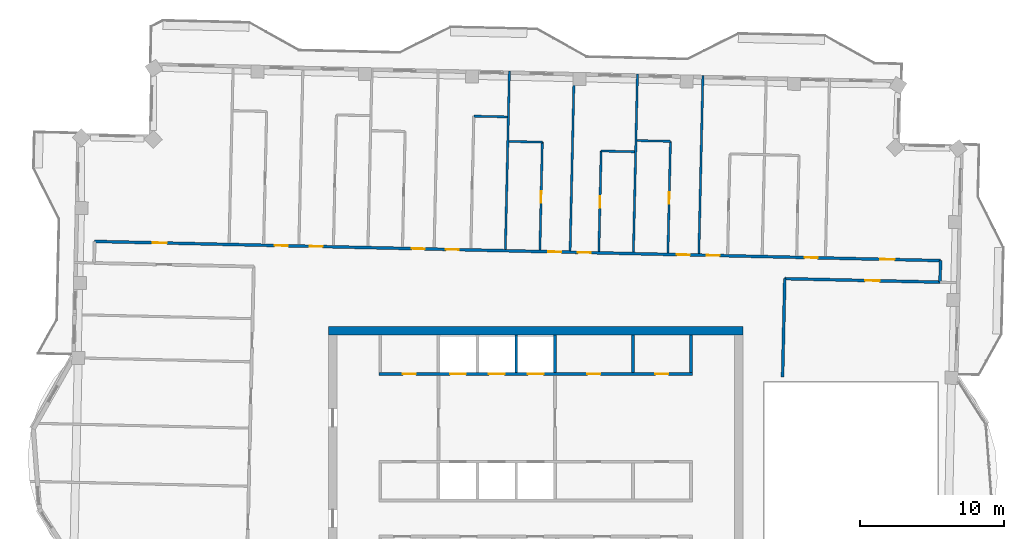
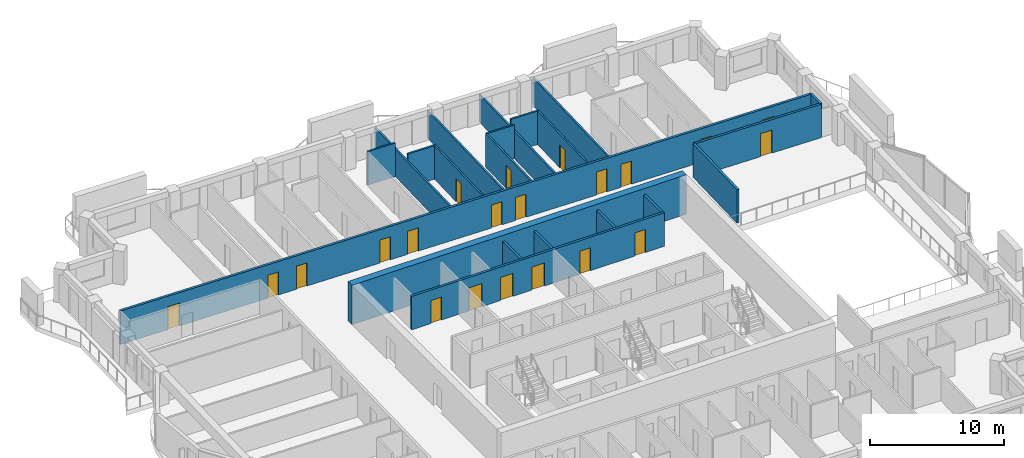
# One storey, part 9 of 15: 21 doors, 21 walls, 21 openings.
"""IFC4 building model written with IfcOpenShell, lengths in metres."""

from ifc_helpers import new_model, si_unit, direction, frame, frame_2d, origin, place, context, subcontext, project, spatial, rectangle, extrude, material, layer, layer_set, type_object, element, fill, save


model = new_model("IFC4")

# Units and contexts
model_context = context("Model", 3, precision=1e-05, world=origin(), true_north=direction((0.0, 1.0)))
body_context = subcontext(model_context, "Body", "Model", "MODEL_VIEW")
ifc_project = project(units=[si_unit("LENGTHUNIT", "METRE"), si_unit("AREAUNIT", "SQUARE_METRE"), si_unit("VOLUMEUNIT", "CUBIC_METRE"), si_unit("PLANEANGLEUNIT", "RADIAN"), si_unit("MASSUNIT", "GRAM", prefix="KILO")], contexts=[model_context])

# Site, building, storey
site_placement = place(None, origin())
site = spatial("IfcSite", under=ifc_project, at=site_placement, CompositionType="ELEMENT")
building_placement = place(site_placement, origin())
building = spatial("IfcBuilding", under=site, at=building_placement, Name="Mangrove Gate Tower", CompositionType="ELEMENT")
storey_placement = place(building_placement, frame((0.0, 0.0, 306.10009765625)))
storey = spatial("IfcBuildingStorey", under=building, at=storey_placement, Name="L78", CompositionType="ELEMENT", Elevation=306.10009765625)

# Walls
ifc_material_1 = material(Name="Concrete C32/40", Category="concrete")
ifc_layer_1 = layer(ifc_material_1, 0.199951171875)
ifc_layer_set_1 = layer_set([ifc_layer_1], Name="Core room wall 200 C32/40")
wall_type_1 = type_object("IfcWallType", Name="Core room wall 200 C32/40", PredefinedType="STANDARD", material=ifc_layer_set_1)
for number, where, z_axis, x_axis, name in (
    (1, (6.75, 8.199951171875, 0.0), (0.0, 0.0, 1.0), (0.0, 1.0, 0.0), "WALL-L78-CORE-31"),
    (2, (10.800048828125, 8.199951171875, 0.0), (0.0, 0.0, 1.0), (0.0, 1.0, 0.0), "WALL-L78-CORE-32"),
):
    element("IfcWall", number, at=place(storey_placement, frame(where, z_axis=z_axis, x_axis=x_axis)), inside=storey, type_object=wall_type_1, Name=name, PredefinedType="STANDARD", context=body_context, shape_type="SweptSolid", body=[
        extrude(rectangle(XDim=2.60009765625, YDim=0.199951171875, at=frame_2d((1.300048828125, 0.0))), origin(), (0.0, 0.0, 1.0), 3.0498046875),
    ])

# Wall, openings, doors
ifc_material_2 = material(Name="Concrete C50/60", Category="concrete")
ifc_layer_2 = layer(ifc_material_2, 0.199951171875)
ifc_layer_set_2 = layer_set([ifc_layer_2], Name="Core shaft wall 200 C50/60")
wall_type_2 = type_object("IfcWallType", Name="Core shaft wall 200 C50/60", PredefinedType="SHEAR", material=ifc_layer_set_2)
wall_1_placement = place(storey_placement, frame((-10.89990234375, 8.10009765625, 0.0), z_axis=(0.0, 0.0, 1.0), x_axis=(1.0, 0.0, 0.0)))
wall_1 = element("IfcWall", 3, at=wall_1_placement, inside=storey, type_object=wall_type_2, Name="WALL-L78-CORE-8", PredefinedType="SHEAR", context=body_context, shape_type="SweptSolid", body=[
    extrude(rectangle(XDim=21.7998046875, YDim=0.199951171875, at=frame_2d((10.89990234375, 0.0))), origin(), (0.0, 0.0, 1.0), 3.0498046875),
])
opening_1_placement = place(wall_1_placement, frame((4.949951171875, 0.0, 0.0)))
opening_1 = element("IfcOpeningElement", 4, at=opening_1_placement, cuts=wall_1, Name="Opening LD", PredefinedType="OPENING", context=body_context, shape_type="SweptSolid", body=[
    extrude(rectangle(XDim=1.10009765625, YDim=2.10009765625, at=frame_2d((0.550048828125, 1.050048828125))), frame((0.0, 0.10986328125, 0.0), z_axis=(0.0, -1.0, 0.0), x_axis=(1.0, 0.0, 0.0)), (0.0, 0.0, 1.0), 0.219970703125),
])
opening_2_placement = place(wall_1_placement, frame((7.64990234375, 0.0, 0.0)))
opening_2 = element("IfcOpeningElement", 5, at=opening_2_placement, cuts=wall_1, Name="Opening LD", PredefinedType="OPENING", context=body_context, shape_type="SweptSolid", body=[
    extrude(rectangle(XDim=1.10009765625, YDim=2.10009765625, at=frame_2d((0.550048828125, 1.050048828125))), frame((0.0, 0.10986328125, 0.0), z_axis=(0.0, -1.0, 0.0), x_axis=(1.0, 0.0, 0.0)), (0.0, 0.0, 1.0), 0.219970703125),
])
opening_3_placement = place(wall_1_placement, frame((10.35009765625, 0.0, 0.0)))
opening_3 = element("IfcOpeningElement", 6, at=opening_3_placement, cuts=wall_1, Name="Opening LD", PredefinedType="OPENING", context=body_context, shape_type="SweptSolid", body=[
    extrude(rectangle(XDim=1.10009765625, YDim=2.10009765625, at=frame_2d((0.550048828125, 1.050048828125))), frame((0.0, 0.10986328125, 0.0), z_axis=(0.0, -1.0, 0.0), x_axis=(1.0, 0.0, 0.0)), (0.0, 0.0, 1.0), 0.219970703125),
])
opening_4_placement = place(wall_1_placement, frame((1.675048828125, 0.0, 0.0)))
opening_4 = element("IfcOpeningElement", 7, at=opening_4_placement, cuts=wall_1, Name="Opening KD", PredefinedType="OPENING", context=body_context, shape_type="SweptSolid", body=[
    extrude(rectangle(XDim=0.89990234375, YDim=2.10009765625, at=frame_2d((0.449951171875, 1.050048828125))), frame((0.0, 0.10986328125, 0.0), z_axis=(0.0, -1.0, 0.0), x_axis=(1.0, 0.0, 0.0)), (0.0, 0.0, 1.0), 0.219970703125),
])
opening_5_placement = place(wall_1_placement, frame((14.5, 0.0, 0.0)))
opening_5 = element("IfcOpeningElement", 8, at=opening_5_placement, cuts=wall_1, Name="Opening RD", PredefinedType="OPENING", context=body_context, shape_type="SweptSolid", body=[
    extrude(rectangle(XDim=0.89990234375, YDim=2.10009765625, at=frame_2d((0.449951171875, 1.050048828125))), frame((0.0, 0.10986328125, 0.0), z_axis=(0.0, -1.0, 0.0), x_axis=(1.0, 0.0, 0.0)), (0.0, 0.0, 1.0), 0.219970703125),
])
opening_6_placement = place(wall_1_placement, frame((19.22509765625, 0.0, 0.0)))
opening_6 = element("IfcOpeningElement", 9, at=opening_6_placement, cuts=wall_1, Name="Opening RD", PredefinedType="OPENING", context=body_context, shape_type="SweptSolid", body=[
    extrude(rectangle(XDim=0.89990234375, YDim=2.10009765625, at=frame_2d((0.449951171875, 1.050048828125))), frame((0.0, 0.10986328125, 0.0), z_axis=(0.0, -1.0, 0.0), x_axis=(1.0, 0.0, 0.0)), (0.0, 0.0, 1.0), 0.219970703125),
])
ifc_material_3 = material(Name="Fire-rated steel door set", Category="steel")
door_type_1 = type_object("IfcDoorType", Name="Core room door FD30S 900x2100", OperationType="SINGLE_SWING_RIGHT", PredefinedType="DOOR", material=ifc_material_3)
door_1_placement = place(opening_4_placement, origin())
door_1 = element("IfcDoor", 10, at=door_1_placement, inside=storey, type_object=door_type_1, Name="Core room door Linen store", OperationType="SINGLE_SWING_RIGHT", OverallHeight=2.10009765625, OverallWidth=0.89990234375, PredefinedType="DOOR", context=body_context, shape_type="SweptSolid", body=[
    extrude(rectangle(XDim=0.89990234375, YDim=2.10009765625, at=frame_2d((0.449951171875, 1.050048828125))), frame((0.0, 0.02490234375, 0.0), z_axis=(0.0, -1.0, 0.0), x_axis=(1.0, 0.0, 0.0)), (0.0, 0.0, 1.0), 0.050048828125),
])
fill(opening_4, door_1)
ifc_material_4 = material(Name="Stainless steel 316", Category="steel")
door_type_2 = type_object("IfcDoorType", Name="Lift landing door 1100x2100", OperationType="SLIDING_TO_LEFT", PredefinedType="DOOR", material=ifc_material_4)
door_2_placement = place(opening_1_placement, origin())
door_2 = element("IfcDoor", 11, at=door_2_placement, inside=storey, type_object=door_type_2, Name="Landing door LD H04", OperationType="SLIDING_TO_LEFT", OverallHeight=2.10009765625, OverallWidth=1.10009765625, PredefinedType="DOOR", context=body_context, shape_type="SweptSolid", body=[
    extrude(rectangle(XDim=1.10009765625, YDim=2.10009765625, at=frame_2d((0.550048828125, 1.050048828125))), frame((0.0, 0.02490234375, 0.0), z_axis=(0.0, -1.0, 0.0), x_axis=(1.0, 0.0, 0.0)), (0.0, 0.0, 1.0), 0.050048828125),
])
fill(opening_1, door_2)
door_3_placement = place(opening_2_placement, origin())
door_3 = element("IfcDoor", 12, at=door_3_placement, inside=storey, type_object=door_type_2, Name="Landing door LD H05", OperationType="SLIDING_TO_LEFT", OverallHeight=2.10009765625, OverallWidth=1.10009765625, PredefinedType="DOOR", context=body_context, shape_type="SweptSolid", body=[
    extrude(rectangle(XDim=1.10009765625, YDim=2.10009765625, at=frame_2d((0.550048828125, 1.050048828125))), frame((0.0, 0.02490234375, 0.0), z_axis=(0.0, -1.0, 0.0), x_axis=(1.0, 0.0, 0.0)), (0.0, 0.0, 1.0), 0.050048828125),
])
fill(opening_2, door_3)
door_4_placement = place(opening_3_placement, origin())
door_4 = element("IfcDoor", 13, at=door_4_placement, inside=storey, type_object=door_type_2, Name="Landing door LD H06", OperationType="SLIDING_TO_LEFT", OverallHeight=2.10009765625, OverallWidth=1.10009765625, PredefinedType="DOOR", context=body_context, shape_type="SweptSolid", body=[
    extrude(rectangle(XDim=1.10009765625, YDim=2.10009765625, at=frame_2d((0.550048828125, 1.050048828125))), frame((0.0, 0.02490234375, 0.0), z_axis=(0.0, -1.0, 0.0), x_axis=(1.0, 0.0, 0.0)), (0.0, 0.0, 1.0), 0.050048828125),
])
fill(opening_3, door_4)
ifc_material_5 = material(Name="Fire-rated steel door set", Category="steel")
door_type_3 = type_object("IfcDoorType", Name="Riser door FD30S 900x2100", OperationType="SINGLE_SWING_LEFT", PredefinedType="DOOR", material=ifc_material_5)
door_5_placement = place(opening_5_placement, origin())
door_5 = element("IfcDoor", 14, at=door_5_placement, inside=storey, type_object=door_type_3, Name="Riser door Switch room", OperationType="SINGLE_SWING_LEFT", OverallHeight=2.10009765625, OverallWidth=0.89990234375, PredefinedType="DOOR", context=body_context, shape_type="SweptSolid", body=[
    extrude(rectangle(XDim=0.89990234375, YDim=2.10009765625, at=frame_2d((0.449951171875, 1.050048828125))), frame((0.0, 0.02490234375, 0.0), z_axis=(0.0, -1.0, 0.0), x_axis=(1.0, 0.0, 0.0)), (0.0, 0.0, 1.0), 0.050048828125),
])
fill(opening_5, door_5)
door_6_placement = place(opening_6_placement, origin())
door_6 = element("IfcDoor", 15, at=door_6_placement, inside=storey, type_object=door_type_3, Name="Riser door Comms room", OperationType="SINGLE_SWING_LEFT", OverallHeight=2.10009765625, OverallWidth=0.89990234375, PredefinedType="DOOR", context=body_context, shape_type="SweptSolid", body=[
    extrude(rectangle(XDim=0.89990234375, YDim=2.10009765625, at=frame_2d((0.449951171875, 1.050048828125))), frame((0.0, 0.02490234375, 0.0), z_axis=(0.0, -1.0, 0.0), x_axis=(1.0, 0.0, 0.0)), (0.0, 0.0, 1.0), 0.050048828125),
])
fill(opening_6, door_6)

# Walls
for number, where, z_axis, x_axis, name in (
    (16, (-1.35009765625, 8.199951171875, 0.0), (0.0, 0.0, 1.0), (0.0, 1.0, 0.0), "WALL-L78-CORE-29"),
    (17, (1.35009765625, 8.199951171875, 0.0), (0.0, 0.0, 1.0), (0.0, 1.0, 0.0), "WALL-L78-CORE-30"),
):
    element("IfcWall", number, at=place(storey_placement, frame(where, z_axis=z_axis, x_axis=x_axis)), inside=storey, type_object=wall_type_2, Name=name, PredefinedType="SHEAR", context=body_context, shape_type="SweptSolid", body=[
        extrude(rectangle(XDim=2.60009765625, YDim=0.199951171875, at=frame_2d((1.300048828125, 0.0))), origin(), (0.0, 0.0, 1.0), 3.0498046875),
    ])
ifc_material_6 = material(Name="Concrete C50/60", Category="concrete")
ifc_layer_3 = layer(ifc_material_6, 0.60009765625)
ifc_layer_set_3 = layer_set([ifc_layer_3], Name="Core wall 600 C50/60")
wall_type_3 = type_object("IfcWallType", Name="Core wall 600 C50/60", PredefinedType="SHEAR", material=ifc_layer_set_3)
wall_2_placement = place(storey_placement, frame((-14.39990234375, 11.10009765625, 0.0), z_axis=(0.0, 0.0, 1.0), x_axis=(1.0, 0.0, 0.0)))
element("IfcWall", 18, at=wall_2_placement, inside=storey, type_object=wall_type_3, Name="WALL-L78-CORE-2", PredefinedType="SHEAR", context=body_context, shape_type="SweptSolid", body=[
    extrude(rectangle(XDim=28.7998046875, YDim=0.60009765625, at=frame_2d((14.39990234375, 0.0))), origin(), (0.0, 0.0, 1.0), 3.599853515625),
])
ifc_material_7 = material(Name="Gypsum board on steel stud, EI 60", Category="steel")
ifc_layer_4 = layer(ifc_material_7, 0.199951171875)
ifc_layer_set_4 = layer_set([ifc_layer_4], Name="Corridor wall EI 60")
wall_type_4 = type_object("IfcWallType", Name="Corridor wall EI 60", PredefinedType="PARTITIONING", material=ifc_layer_set_4)
wall_3_placement = place(storey_placement, frame((17.156982421875, 7.89794921875, 0.0), z_axis=(0.0, 0.0, 1.0), x_axis=(0.022562209343, 0.999745440955, 0.0)))
element("IfcWall", 19, at=wall_3_placement, inside=storey, type_object=wall_type_4, Name="WALL-L78-049", PredefinedType="PARTITIONING", context=body_context, shape_type="SweptSolid", body=[
    extrude(rectangle(XDim=6.827880859375, YDim=0.199951171875, at=frame_2d((3.4140625, 0.0))), origin(), (0.0, 0.0, 1.0), 3.0498046875),
])

# Wall, opening, door
wall_4_placement = place(storey_placement, frame((17.305908203125, 14.72412109375, 0.0), z_axis=(0.0, 0.0, 1.0), x_axis=(0.999744269809, -0.022614043969, 0.0)))
wall_4 = element("IfcWall", 20, at=wall_4_placement, inside=storey, type_object=wall_type_4, Name="WALL-L78-055", PredefinedType="PARTITIONING", context=body_context, shape_type="SweptSolid", body=[
    extrude(rectangle(XDim=10.7958984375, YDim=0.199951171875, at=frame_2d((5.39794921875, 0.0))), origin(), (0.0, 0.0, 1.0), 3.0498046875),
])
opening_7_placement = place(wall_4_placement, frame((5.597900390625, 0.0, 0.0)))
opening_7 = element("IfcOpeningElement", 21, at=opening_7_placement, cuts=wall_4, Name="Opening AD", PredefinedType="OPENING", context=body_context, shape_type="SweptSolid", body=[
    extrude(rectangle(XDim=1.0, YDim=2.10009765625, at=frame_2d((0.5, 1.050048828125))), frame((0.0, 0.10986328125, 0.0), z_axis=(0.0, -1.0, 0.0), x_axis=(1.0, 0.0, 0.0)), (0.0, 0.0, 1.0), 0.219970703125),
])
ifc_material_8 = material(Name="Timber door leaf", Category="wood")
door_type_4 = type_object("IfcDoorType", Name="Amenity door 1000", OperationType="SINGLE_SWING_LEFT", PredefinedType="DOOR", material=ifc_material_8)
door_7_placement = place(opening_7_placement, origin())
door_7 = element("IfcDoor", 22, at=door_7_placement, inside=storey, type_object=door_type_4, Name="DOOR-L78-GAM-c3a", OperationType="SINGLE_SWING_RIGHT", OverallHeight=2.10009765625, OverallWidth=1.0, PredefinedType="DOOR", context=body_context, shape_type="SweptSolid", body=[
    extrude(rectangle(XDim=1.0, YDim=2.10009765625, at=frame_2d((0.5, 1.050048828125))), frame((0.0, 0.02490234375, 0.0), z_axis=(0.0, -1.0, 0.0), x_axis=(1.0, 0.0, 0.0)), (0.0, 0.0, 1.0), 0.050048828125),
])
fill(opening_7, door_7)

# Wall
wall_5_placement = place(storey_placement, frame((28.09912109375, 14.47998046875, 0.0), z_axis=(0.0, 0.0, 1.0), x_axis=(0.022632637625, 0.99974384905, 0.0)))
element("IfcWall", 23, at=wall_5_placement, inside=storey, type_object=wall_type_4, Name="WALL-L78-057", PredefinedType="PARTITIONING", context=body_context, shape_type="SweptSolid", body=[
    extrude(rectangle(XDim=1.49951171875, YDim=0.199951171875, at=frame_2d((0.749755859375, 0.0))), origin(), (0.0, 0.0, 1.0), 3.0498046875),
])

# Wall, openings, doors
wall_6_placement = place(storey_placement, frame((-30.652099609375, 17.31298828125, 0.0), z_axis=(0.0, 0.0, 1.0), x_axis=(0.999742623764, -0.02268669719, 0.0)))
wall_6 = element("IfcWall", 24, at=wall_6_placement, inside=storey, type_object=wall_type_4, Name="WALL-L78-058", PredefinedType="PARTITIONING", context=body_context, shape_type="SweptSolid", body=[
    extrude(rectangle(XDim=58.80029296875, YDim=0.199951171875, at=frame_2d((29.400146484375, 0.0))), origin(), (0.0, 0.0, 1.0), 3.0498046875),
])
opening_8_placement = place(wall_6_placement, frame((54.60107421875, 0.0, 0.0)))
opening_8 = element("IfcOpeningElement", 25, at=opening_8_placement, cuts=wall_6, Name="Opening AD", PredefinedType="OPENING", context=body_context, shape_type="SweptSolid", body=[
    extrude(rectangle(XDim=1.0, YDim=2.10009765625, at=frame_2d((0.5, 1.050048828125))), frame((0.0, 0.10986328125, 0.0), z_axis=(0.0, -1.0, 0.0), x_axis=(1.0, 0.0, 0.0)), (0.0, 0.0, 1.0), 0.219970703125),
])
opening_9_placement = place(wall_6_placement, frame((49.35009765625, 0.0, 0.0)))
opening_9 = element("IfcOpeningElement", 26, at=opening_9_placement, cuts=wall_6, Name="Opening BD", PredefinedType="OPENING", context=body_context, shape_type="SweptSolid", body=[
    extrude(rectangle(XDim=0.89990234375, YDim=2.10009765625, at=frame_2d((0.449951171875, 1.050048828125))), frame((0.0, 0.10986328125, 0.0), z_axis=(0.0, -1.0, 0.0), x_axis=(1.0, 0.0, 0.0)), (0.0, 0.0, 1.0), 0.219970703125),
])
opening_10_placement = place(wall_6_placement, frame((42.550048828125, 0.0, 0.0)))
opening_10 = element("IfcOpeningElement", 27, at=opening_10_placement, cuts=wall_6, Name="Opening BD", PredefinedType="OPENING", context=body_context, shape_type="SweptSolid", body=[
    extrude(rectangle(XDim=0.89990234375, YDim=2.10009765625, at=frame_2d((0.449951171875, 1.050048828125))), frame((0.0, 0.10986328125, 0.0), z_axis=(0.0, -1.0, 0.0), x_axis=(1.0, 0.0, 0.0)), (0.0, 0.0, 1.0), 0.219970703125),
])
opening_11_placement = place(wall_6_placement, frame((40.47509765625, 0.0, 0.0)))
opening_11 = element("IfcOpeningElement", 28, at=opening_11_placement, cuts=wall_6, Name="Opening BD", PredefinedType="OPENING", context=body_context, shape_type="SweptSolid", body=[
    extrude(rectangle(XDim=0.89990234375, YDim=2.10009765625, at=frame_2d((0.449951171875, 1.050048828125))), frame((0.0, 0.10986328125, 0.0), z_axis=(0.0, -1.0, 0.0), x_axis=(1.0, 0.0, 0.0)), (0.0, 0.0, 1.0), 0.219970703125),
])
opening_12_placement = place(wall_6_placement, frame((33.60009765625, 0.0, 0.0)))
opening_12 = element("IfcOpeningElement", 29, at=opening_12_placement, cuts=wall_6, Name="Opening BD", PredefinedType="OPENING", context=body_context, shape_type="SweptSolid", body=[
    extrude(rectangle(XDim=0.89990234375, YDim=2.10009765625, at=frame_2d((0.449951171875, 1.050048828125))), frame((0.0, 0.10986328125, 0.0), z_axis=(0.0, -1.0, 0.0), x_axis=(1.0, 0.0, 0.0)), (0.0, 0.0, 1.0), 0.219970703125),
])
opening_13_placement = place(wall_6_placement, frame((31.550048828125, 0.0, 0.0)))
opening_13 = element("IfcOpeningElement", 30, at=opening_13_placement, cuts=wall_6, Name="Opening BD", PredefinedType="OPENING", context=body_context, shape_type="SweptSolid", body=[
    extrude(rectangle(XDim=0.89990234375, YDim=2.10009765625, at=frame_2d((0.449951171875, 1.050048828125))), frame((0.0, 0.10986328125, 0.0), z_axis=(0.0, -1.0, 0.0), x_axis=(1.0, 0.0, 0.0)), (0.0, 0.0, 1.0), 0.219970703125),
])
opening_14_placement = place(wall_6_placement, frame((24.425048828125, 0.0, 0.0)))
opening_14 = element("IfcOpeningElement", 31, at=opening_14_placement, cuts=wall_6, Name="Opening BD", PredefinedType="OPENING", context=body_context, shape_type="SweptSolid", body=[
    extrude(rectangle(XDim=0.89990234375, YDim=2.10009765625, at=frame_2d((0.449951171875, 1.050048828125))), frame((0.0, 0.10986328125, 0.0), z_axis=(0.0, -1.0, 0.0), x_axis=(1.0, 0.0, 0.0)), (0.0, 0.0, 1.0), 0.219970703125),
])
opening_15_placement = place(wall_6_placement, frame((22.050048828125, 0.0, 0.0)))
opening_15 = element("IfcOpeningElement", 32, at=opening_15_placement, cuts=wall_6, Name="Opening BD", PredefinedType="OPENING", context=body_context, shape_type="SweptSolid", body=[
    extrude(rectangle(XDim=0.89990234375, YDim=2.10009765625, at=frame_2d((0.449951171875, 1.050048828125))), frame((0.0, 0.10986328125, 0.0), z_axis=(0.0, -1.0, 0.0), x_axis=(1.0, 0.0, 0.0)), (0.0, 0.0, 1.0), 0.219970703125),
])
opening_16_placement = place(wall_6_placement, frame((14.949951171875, 0.0, 0.0)))
opening_16 = element("IfcOpeningElement", 33, at=opening_16_placement, cuts=wall_6, Name="Opening BD", PredefinedType="OPENING", context=body_context, shape_type="SweptSolid", body=[
    extrude(rectangle(XDim=0.89990234375, YDim=2.10009765625, at=frame_2d((0.449951171875, 1.050048828125))), frame((0.0, 0.10986328125, 0.0), z_axis=(0.0, -1.0, 0.0), x_axis=(1.0, 0.0, 0.0)), (0.0, 0.0, 1.0), 0.219970703125),
])
opening_17_placement = place(wall_6_placement, frame((12.52490234375, 0.0, 0.0)))
opening_17 = element("IfcOpeningElement", 34, at=opening_17_placement, cuts=wall_6, Name="Opening BD", PredefinedType="OPENING", context=body_context, shape_type="SweptSolid", body=[
    extrude(rectangle(XDim=0.89990234375, YDim=2.10009765625, at=frame_2d((0.449951171875, 1.050048828125))), frame((0.0, 0.10986328125, 0.0), z_axis=(0.0, -1.0, 0.0), x_axis=(1.0, 0.0, 0.0)), (0.0, 0.0, 1.0), 0.219970703125),
])
opening_18_placement = place(wall_6_placement, frame((4.031982421875, 0.0, 0.0)))
opening_18 = element("IfcOpeningElement", 35, at=opening_18_placement, cuts=wall_6, Name="Opening AD", PredefinedType="OPENING", context=body_context, shape_type="SweptSolid", body=[
    extrude(rectangle(XDim=1.0, YDim=2.10009765625, at=frame_2d((0.5, 1.050048828125))), frame((0.0, 0.10986328125, 0.0), z_axis=(0.0, -1.0, 0.0), x_axis=(1.0, 0.0, 0.0)), (0.0, 0.0, 1.0), 0.219970703125),
])
door_8_placement = place(opening_8_placement, origin())
door_8 = element("IfcDoor", 36, at=door_8_placement, inside=storey, type_object=door_type_4, Name="DOOR-L78-KIT-c3a", OperationType="SINGLE_SWING_LEFT", OverallHeight=2.10009765625, OverallWidth=1.0, PredefinedType="DOOR", context=body_context, shape_type="SweptSolid", body=[
    extrude(rectangle(XDim=1.0, YDim=2.10009765625, at=frame_2d((0.5, 1.050048828125))), frame((0.0, 0.02490234375, 0.0), z_axis=(0.0, -1.0, 0.0), x_axis=(1.0, 0.0, 0.0)), (0.0, 0.0, 1.0), 0.050048828125),
])
fill(opening_8, door_8)
door_9_placement = place(opening_18_placement, origin())
door_9 = element("IfcDoor", 37, at=door_9_placement, inside=storey, type_object=door_type_4, Name="DOOR-L78-KIT-c5a", OperationType="SINGLE_SWING_RIGHT", OverallHeight=2.10009765625, OverallWidth=1.0, PredefinedType="DOOR", context=body_context, shape_type="SweptSolid", body=[
    extrude(rectangle(XDim=1.0, YDim=2.10009765625, at=frame_2d((0.5, 1.050048828125))), frame((0.0, 0.02490234375, 0.0), z_axis=(0.0, -1.0, 0.0), x_axis=(1.0, 0.0, 0.0)), (0.0, 0.0, 1.0), 0.050048828125),
])
fill(opening_18, door_9)
ifc_material_9 = material(Name="Timber door leaf", Category="wood")
door_type_5 = type_object("IfcDoorType", Name="Bedroom door 900", OperationType="SINGLE_SWING_LEFT", PredefinedType="DOOR", material=ifc_material_9)
door_10_placement = place(opening_9_placement, origin())
door_10 = element("IfcDoor", 38, at=door_10_placement, inside=storey, type_object=door_type_5, Name="DOOR-L78-BED-c311", OperationType="SINGLE_SWING_LEFT", OverallHeight=2.10009765625, OverallWidth=0.89990234375, PredefinedType="DOOR", context=body_context, shape_type="SweptSolid", body=[
    extrude(rectangle(XDim=0.89990234375, YDim=2.10009765625, at=frame_2d((0.449951171875, 1.050048828125))), frame((0.0, 0.02490234375, 0.0), z_axis=(0.0, -1.0, 0.0), x_axis=(1.0, 0.0, 0.0)), (0.0, 0.0, 1.0), 0.050048828125),
])
fill(opening_9, door_10)
door_11_placement = place(opening_10_placement, origin())
door_11 = element("IfcDoor", 39, at=door_11_placement, inside=storey, type_object=door_type_5, Name="DOOR-L78-BED-c312", OperationType="SINGLE_SWING_RIGHT", OverallHeight=2.10009765625, OverallWidth=0.89990234375, PredefinedType="DOOR", context=body_context, shape_type="SweptSolid", body=[
    extrude(rectangle(XDim=0.89990234375, YDim=2.10009765625, at=frame_2d((0.449951171875, 1.050048828125))), frame((0.0, 0.02490234375, 0.0), z_axis=(0.0, -1.0, 0.0), x_axis=(1.0, 0.0, 0.0)), (0.0, 0.0, 1.0), 0.050048828125),
])
fill(opening_10, door_11)
door_12_placement = place(opening_11_placement, origin())
door_12 = element("IfcDoor", 40, at=door_12_placement, inside=storey, type_object=door_type_5, Name="DOOR-L78-BED-c413", OperationType="SINGLE_SWING_LEFT", OverallHeight=2.10009765625, OverallWidth=0.89990234375, PredefinedType="DOOR", context=body_context, shape_type="SweptSolid", body=[
    extrude(rectangle(XDim=0.89990234375, YDim=2.10009765625, at=frame_2d((0.449951171875, 1.050048828125))), frame((0.0, 0.02490234375, 0.0), z_axis=(0.0, -1.0, 0.0), x_axis=(1.0, 0.0, 0.0)), (0.0, 0.0, 1.0), 0.050048828125),
])
fill(opening_11, door_12)
door_13_placement = place(opening_12_placement, origin())
door_13 = element("IfcDoor", 41, at=door_13_placement, inside=storey, type_object=door_type_5, Name="DOOR-L78-BED-c414", OperationType="SINGLE_SWING_RIGHT", OverallHeight=2.10009765625, OverallWidth=0.89990234375, PredefinedType="DOOR", context=body_context, shape_type="SweptSolid", body=[
    extrude(rectangle(XDim=0.89990234375, YDim=2.10009765625, at=frame_2d((0.449951171875, 1.050048828125))), frame((0.0, 0.02490234375, 0.0), z_axis=(0.0, -1.0, 0.0), x_axis=(1.0, 0.0, 0.0)), (0.0, 0.0, 1.0), 0.050048828125),
])
fill(opening_12, door_13)
door_14_placement = place(opening_13_placement, origin())
door_14 = element("IfcDoor", 42, at=door_14_placement, inside=storey, type_object=door_type_5, Name="DOOR-L78-BED-c415", OperationType="SINGLE_SWING_LEFT", OverallHeight=2.10009765625, OverallWidth=0.89990234375, PredefinedType="DOOR", context=body_context, shape_type="SweptSolid", body=[
    extrude(rectangle(XDim=0.89990234375, YDim=2.10009765625, at=frame_2d((0.449951171875, 1.050048828125))), frame((0.0, 0.02490234375, 0.0), z_axis=(0.0, -1.0, 0.0), x_axis=(1.0, 0.0, 0.0)), (0.0, 0.0, 1.0), 0.050048828125),
])
fill(opening_13, door_14)
door_15_placement = place(opening_14_placement, origin())
door_15 = element("IfcDoor", 43, at=door_15_placement, inside=storey, type_object=door_type_5, Name="DOOR-L78-BED-c416", OperationType="SINGLE_SWING_RIGHT", OverallHeight=2.10009765625, OverallWidth=0.89990234375, PredefinedType="DOOR", context=body_context, shape_type="SweptSolid", body=[
    extrude(rectangle(XDim=0.89990234375, YDim=2.10009765625, at=frame_2d((0.449951171875, 1.050048828125))), frame((0.0, 0.02490234375, 0.0), z_axis=(0.0, -1.0, 0.0), x_axis=(1.0, 0.0, 0.0)), (0.0, 0.0, 1.0), 0.050048828125),
])
fill(opening_14, door_15)
door_16_placement = place(opening_15_placement, origin())
door_16 = element("IfcDoor", 44, at=door_16_placement, inside=storey, type_object=door_type_5, Name="DOOR-L78-BED-c517", OperationType="SINGLE_SWING_LEFT", OverallHeight=2.10009765625, OverallWidth=0.89990234375, PredefinedType="DOOR", context=body_context, shape_type="SweptSolid", body=[
    extrude(rectangle(XDim=0.89990234375, YDim=2.10009765625, at=frame_2d((0.449951171875, 1.050048828125))), frame((0.0, 0.02490234375, 0.0), z_axis=(0.0, -1.0, 0.0), x_axis=(1.0, 0.0, 0.0)), (0.0, 0.0, 1.0), 0.050048828125),
])
fill(opening_15, door_16)
door_17_placement = place(opening_16_placement, origin())
door_17 = element("IfcDoor", 45, at=door_17_placement, inside=storey, type_object=door_type_5, Name="DOOR-L78-BED-c518", OperationType="SINGLE_SWING_RIGHT", OverallHeight=2.10009765625, OverallWidth=0.89990234375, PredefinedType="DOOR", context=body_context, shape_type="SweptSolid", body=[
    extrude(rectangle(XDim=0.89990234375, YDim=2.10009765625, at=frame_2d((0.449951171875, 1.050048828125))), frame((0.0, 0.02490234375, 0.0), z_axis=(0.0, -1.0, 0.0), x_axis=(1.0, 0.0, 0.0)), (0.0, 0.0, 1.0), 0.050048828125),
])
fill(opening_16, door_17)
door_18_placement = place(opening_17_placement, origin())
door_18 = element("IfcDoor", 46, at=door_18_placement, inside=storey, type_object=door_type_5, Name="DOOR-L78-BED-c519", OperationType="SINGLE_SWING_LEFT", OverallHeight=2.10009765625, OverallWidth=0.89990234375, PredefinedType="DOOR", context=body_context, shape_type="SweptSolid", body=[
    extrude(rectangle(XDim=0.89990234375, YDim=2.10009765625, at=frame_2d((0.449951171875, 1.050048828125))), frame((0.0, 0.02490234375, 0.0), z_axis=(0.0, -1.0, 0.0), x_axis=(1.0, 0.0, 0.0)), (0.0, 0.0, 1.0), 0.050048828125),
])
fill(opening_17, door_18)

# Wall
ifc_material_10 = material(Name="Gypsum board on steel stud, EI 60", Category="steel")
ifc_layer_5 = layer(ifc_material_10, 0.14990234375)
ifc_layer_set_5 = layer_set([ifc_layer_5], Name="Party wall 150 EI 60")
wall_type_5 = type_object("IfcWallType", Name="Party wall 150 EI 60", PredefinedType="PARTITIONING", material=ifc_layer_set_5)
wall_7_placement = place(storey_placement, frame((-2.10693359375, 16.764892578125, 0.0), z_axis=(0.0, 0.0, 1.0), x_axis=(0.022661029756, 0.999743205894, 0.0)))
element("IfcWall", 47, at=wall_7_placement, inside=storey, type_object=wall_type_5, Name="WALL-L78-067", PredefinedType="PARTITIONING", context=body_context, shape_type="SweptSolid", body=[
    extrude(rectangle(XDim=12.400390625, YDim=0.14990234375, at=frame_2d((6.2001953125, 0.0))), origin(), (0.0, 0.0, 1.0), 2.5),
])

# Wall, opening, door
wall_8_placement = place(storey_placement, frame((0.2919921875, 16.7109375, 0.0), z_axis=(0.0, 0.0, 1.0), x_axis=(0.022656334507, 0.999743312309, 0.0)))
wall_8 = element("IfcWall", 48, at=wall_8_placement, inside=storey, type_object=wall_type_5, Name="WALL-L78-068", PredefinedType="PARTITIONING", context=body_context, shape_type="SweptSolid", body=[
    extrude(rectangle(XDim=7.5, YDim=0.14990234375, at=frame_2d((3.75, 0.0))), origin(), (0.0, 0.0, 1.0), 3.0498046875),
])
opening_19_placement = place(wall_8_placement, frame((3.300048828125, 0.0, 0.0)))
opening_19 = element("IfcOpeningElement", 49, at=opening_19_placement, cuts=wall_8, Name="Opening ED", PredefinedType="OPENING", context=body_context, shape_type="SweptSolid", body=[
    extrude(rectangle(XDim=0.800048828125, YDim=2.10009765625, at=frame_2d((0.39990234375, 1.050048828125))), frame((0.0, 0.0849609375, 0.0), z_axis=(0.0, -1.0, 0.0), x_axis=(1.0, 0.0, 0.0)), (0.0, 0.0, 1.0), 0.169921875),
])
ifc_material_11 = material(Name="Timber door leaf", Category="wood")
door_type_6 = type_object("IfcDoorType", Name="En-suite door 800", OperationType="SINGLE_SWING_LEFT", PredefinedType="DOOR", material=ifc_material_11)
door_19_placement = place(opening_19_placement, origin())
door_19 = element("IfcDoor", 50, at=door_19_placement, inside=storey, type_object=door_type_6, Name="DOOR-L78-ENS-c415", OperationType="SINGLE_SWING_LEFT", OverallHeight=2.10009765625, OverallWidth=0.800048828125, PredefinedType="DOOR", context=body_context, shape_type="SweptSolid", body=[
    extrude(rectangle(XDim=0.800048828125, YDim=2.10009765625, at=frame_2d((0.39990234375, 1.050048828125))), frame((0.0, 0.02490234375, 0.0), z_axis=(0.0, -1.0, 0.0), x_axis=(1.0, 0.0, 0.0)), (0.0, 0.0, 1.0), 0.050048828125),
])
fill(opening_19, door_19)

# Wall
wall_9_placement = place(storey_placement, frame((2.39208984375, 16.6630859375, 0.0), z_axis=(0.0, 0.0, 1.0), x_axis=(0.022661475803, 0.999743195783, 0.0)))
element("IfcWall", 51, at=wall_9_placement, inside=storey, type_object=wall_type_5, Name="WALL-L78-069", PredefinedType="PARTITIONING", context=body_context, shape_type="SweptSolid", body=[
    extrude(rectangle(XDim=12.400146484375, YDim=0.14990234375, at=frame_2d((6.2001953125, 0.0))), origin(), (0.0, 0.0, 1.0), 2.5),
])

# Wall, opening, door
wall_10_placement = place(storey_placement, frame((4.39111328125, 16.617919921875, 0.0), z_axis=(0.0, 0.0, 1.0), x_axis=(0.022630826984, 0.999743890039, 0.0)))
wall_10 = element("IfcWall", 52, at=wall_10_placement, inside=storey, type_object=wall_type_5, Name="WALL-L78-070", PredefinedType="PARTITIONING", context=body_context, shape_type="SweptSolid", body=[
    extrude(rectangle(XDim=6.979736328125, YDim=0.14990234375, at=frame_2d((3.48974609375, 0.0))), origin(), (0.0, 0.0, 1.0), 3.0498046875),
])
opening_20_placement = place(wall_10_placement, frame((3.0400390625, 0.0, 0.0)))
opening_20 = element("IfcOpeningElement", 53, at=opening_20_placement, cuts=wall_10, Name="Opening ED", PredefinedType="OPENING", context=body_context, shape_type="SweptSolid", body=[
    extrude(rectangle(XDim=0.800048828125, YDim=2.10009765625, at=frame_2d((0.39990234375, 1.050048828125))), frame((0.0, 0.0849609375, 0.0), z_axis=(0.0, -1.0, 0.0), x_axis=(1.0, 0.0, 0.0)), (0.0, 0.0, 1.0), 0.169921875),
])
door_20_placement = place(opening_20_placement, origin())
door_20 = element("IfcDoor", 54, at=door_20_placement, inside=storey, type_object=door_type_6, Name="DOOR-L78-ENS-c414", OperationType="SINGLE_SWING_RIGHT", OverallHeight=2.10009765625, OverallWidth=0.800048828125, PredefinedType="DOOR", context=body_context, shape_type="SweptSolid", body=[
    extrude(rectangle(XDim=0.800048828125, YDim=2.10009765625, at=frame_2d((0.39990234375, 1.050048828125))), frame((0.0, 0.02490234375, 0.0), z_axis=(0.0, -1.0, 0.0), x_axis=(1.0, 0.0, 0.0)), (0.0, 0.0, 1.0), 0.050048828125),
])
fill(opening_20, door_20)

# Wall
wall_11_placement = place(storey_placement, frame((6.791015625, 16.56298828125, 0.0), z_axis=(0.0, 0.0, 1.0), x_axis=(0.022661475803, 0.999743195783, 0.0)))
element("IfcWall", 55, at=wall_11_placement, inside=storey, type_object=wall_type_5, Name="WALL-L78-071", PredefinedType="PARTITIONING", context=body_context, shape_type="SweptSolid", body=[
    extrude(rectangle(XDim=12.400146484375, YDim=0.14990234375, at=frame_2d((6.2001953125, 0.0))), origin(), (0.0, 0.0, 1.0), 2.5),
])

# Wall, opening, door
wall_12_placement = place(storey_placement, frame((9.18994140625, 16.509033203125, 0.0), z_axis=(0.0, 0.0, 1.0), x_axis=(0.022683528451, 0.999742695666, 0.0)))
wall_12 = element("IfcWall", 56, at=wall_12_placement, inside=storey, type_object=wall_type_5, Name="WALL-L78-072", PredefinedType="PARTITIONING", context=body_context, shape_type="SweptSolid", body=[
    extrude(rectangle(XDim=7.760009765625, YDim=0.14990234375, at=frame_2d((3.8798828125, 0.0))), origin(), (0.0, 0.0, 1.0), 3.0498046875),
])
opening_21_placement = place(wall_12_placement, frame((3.429931640625, 0.0, 0.0)))
opening_21 = element("IfcOpeningElement", 57, at=opening_21_placement, cuts=wall_12, Name="Opening ED", PredefinedType="OPENING", context=body_context, shape_type="SweptSolid", body=[
    extrude(rectangle(XDim=0.800048828125, YDim=2.10009765625, at=frame_2d((0.39990234375, 1.050048828125))), frame((0.0, 0.0849609375, 0.0), z_axis=(0.0, -1.0, 0.0), x_axis=(1.0, 0.0, 0.0)), (0.0, 0.0, 1.0), 0.169921875),
])
door_21_placement = place(opening_21_placement, origin())
door_21 = element("IfcDoor", 58, at=door_21_placement, inside=storey, type_object=door_type_6, Name="DOOR-L78-ENS-c413", OperationType="SINGLE_SWING_LEFT", OverallHeight=2.10009765625, OverallWidth=0.800048828125, PredefinedType="DOOR", context=body_context, shape_type="SweptSolid", body=[
    extrude(rectangle(XDim=0.800048828125, YDim=2.10009765625, at=frame_2d((0.39990234375, 1.050048828125))), frame((0.0, 0.02490234375, 0.0), z_axis=(0.0, -1.0, 0.0), x_axis=(1.0, 0.0, 0.0)), (0.0, 0.0, 1.0), 0.050048828125),
])
fill(opening_21, door_21)

# Walls
wall_13_placement = place(storey_placement, frame((11.339111328125, 16.4599609375, 0.0), z_axis=(0.0, 0.0, 1.0), x_axis=(0.022740189192, 0.999741408463, 0.0)))
element("IfcWall", 59, at=wall_13_placement, inside=storey, type_object=wall_type_5, Name="WALL-L78-073", PredefinedType="PARTITIONING", context=body_context, shape_type="SweptSolid", body=[
    extrude(rectangle(XDim=12.400146484375, YDim=0.14990234375, at=frame_2d((6.2001953125, 0.0))), origin(), (0.0, 0.0, 1.0), 2.5),
])
wall_14_placement = place(storey_placement, frame((4.549072265625, 23.595947265625, 0.0), z_axis=(0.0, 0.0, 1.0), x_axis=(0.999740478815, -0.022781023197, 0.0)))
element("IfcWall", 60, at=wall_14_placement, inside=storey, type_object=wall_type_5, Name="WALL-L78-078", PredefinedType="PARTITIONING", context=body_context, shape_type="SweptSolid", body=[
    extrude(rectangle(XDim=2.325439453125, YDim=0.14990234375, at=frame_2d((1.16259765625, 0.0))), origin(), (0.0, 0.0, 1.0), 3.0498046875),
])
for number, where, z_axis, x_axis, name in (
    (61, (-1.862060546875, 24.261962890625, 0.0), (0.0, 0.0, 1.0), (0.999740260747, -0.02279059109, 0.0), "WALL-L78-080"),
    (62, (7.0419921875, 24.320068359375, 0.0), (0.0, 0.0, 1.0), (0.999740260747, -0.02279059109, 0.0), "WALL-L78-081"),
):
    element("IfcWall", number, at=place(storey_placement, frame(where, z_axis=z_axis, x_axis=x_axis)), inside=storey, type_object=wall_type_5, Name=name, PredefinedType="PARTITIONING", context=body_context, shape_type="SweptSolid", body=[
        extrude(rectangle(XDim=2.324462890625, YDim=0.14990234375, at=frame_2d((1.162109375, 0.0))), origin(), (0.0, 0.0, 1.0), 3.0498046875),
    ])
wall_15_placement = place(storey_placement, frame((-4.298095703125, 26.01708984375, 0.0), z_axis=(0.0, 0.0, 1.0), x_axis=(0.999750007167, -0.022358961731, 0.0)))
element("IfcWall", 63, at=wall_15_placement, inside=storey, type_object=wall_type_5, Name="WALL-L78-085", PredefinedType="PARTITIONING", context=body_context, shape_type="SweptSolid", body=[
    extrude(rectangle(XDim=2.32568359375, YDim=0.14990234375, at=frame_2d((1.162841796875, 0.0))), origin(), (0.0, 0.0, 1.0), 3.0498046875),
])

save(model, "model.ifc")
